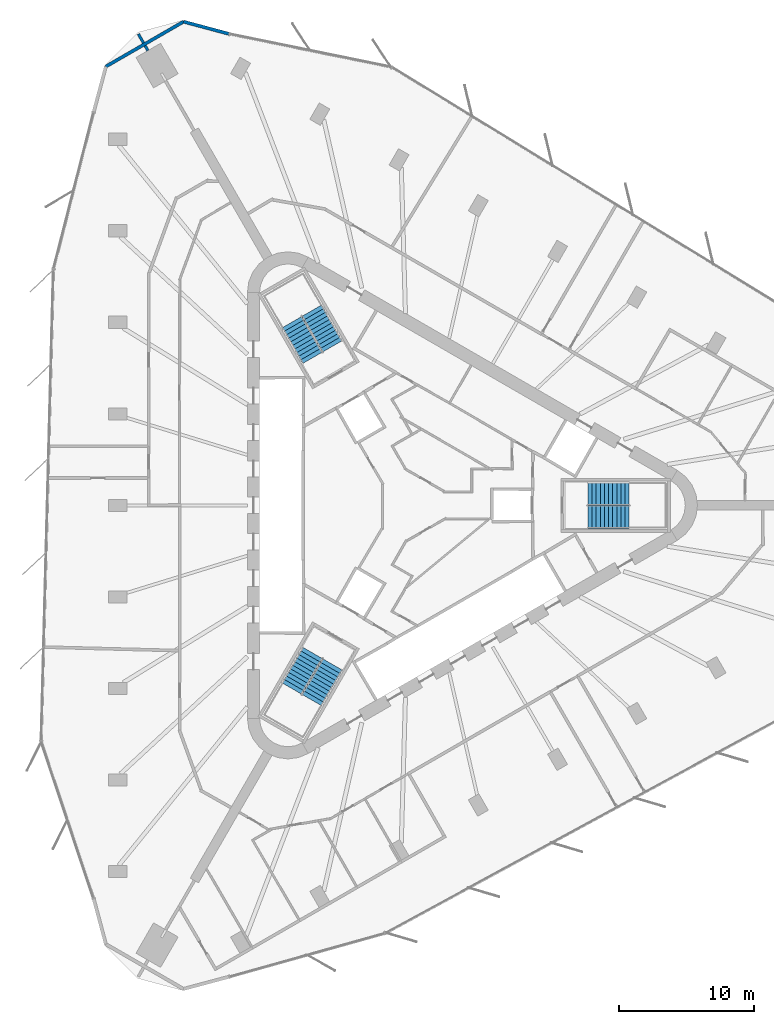
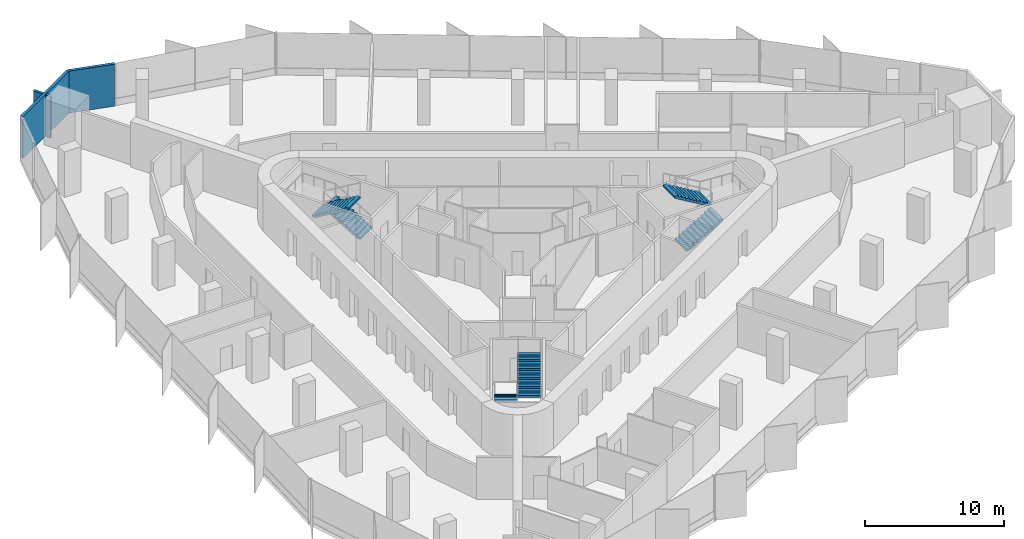
# One storey, part 13 of 14: 6 stair flights, 4 walls, 3 elements without a shape of their own.
"""IFC4 building model written with IfcOpenShell, lengths in metres."""

from ifc_helpers import new_model, si_unit, direction, frame, frame_2d, origin, place, context, subcontext, project, spatial, polyline, rectangle, outline, extrude, material, layer, layer_set, type_object, element, aggregate, save


model = new_model("IFC4")

# Units and contexts
model_context = context("Model", 3, precision=1e-05, world=origin(), true_north=direction((0.0, 1.0)))
body_context = subcontext(model_context, "Body", "Model", "MODEL_VIEW")
ifc_project = project(units=[si_unit("LENGTHUNIT", "METRE"), si_unit("AREAUNIT", "SQUARE_METRE"), si_unit("VOLUMEUNIT", "CUBIC_METRE"), si_unit("PLANEANGLEUNIT", "RADIAN"), si_unit("MASSUNIT", "GRAM", prefix="KILO")], contexts=[model_context])

# Site, building, storey
site_placement = place(None, origin())
site = spatial("IfcSite", under=ifc_project, at=site_placement, CompositionType="ELEMENT")
building_placement = place(site_placement, origin())
building = spatial("IfcBuilding", under=site, at=building_placement, Name="Tanit Gate Tower", CompositionType="ELEMENT")
storey_placement = place(building_placement, frame((0.0, 0.0, 241.199951171875)))
storey = spatial("IfcBuildingStorey", under=building, at=storey_placement, Name="L54", CompositionType="ELEMENT", Elevation=241.199951171875)

# Walls
ifc_material_1 = material(Name="Concrete C30/37 with bronze anodised aluminium cladding", Category="concrete")
ifc_layer_1 = layer(ifc_material_1, 0.239990234375)
ifc_layer_set_1 = layer_set([ifc_layer_1], Name="Facade wall bronze clad 240")
wall_type_1 = type_object("IfcWallType", Name="Facade wall bronze clad 240", PredefinedType="SOLIDWALL", material=ifc_layer_set_1)
wall_1_placement = place(storey_placement, frame((-13.470703125, 34.8876953125, 0.0), z_axis=(0.0, 0.0, 1.0), x_axis=(-0.965929859648, 0.258803991931, 0.0)))
element("IfcWall", 1, at=wall_1_placement, inside=storey, type_object=wall_type_1, Name="Bronze-clad facade wall L54 NW.arc1", PredefinedType="SOLIDWALL", context=body_context, shape_type="SweptSolid", body=[
    extrude(rectangle(XDim=3.474365234375, YDim=0.239990234375, at=frame_2d((1.7373046875, 0.0))), origin(), (0.0, 0.0, 1.0), 3.699951171875),
])
wall_2_placement = place(storey_placement, frame((-16.82666015625, 35.786865234375, 0.0), z_axis=(0.0, 0.0, 1.0), x_axis=(-0.866017876419, -0.500013037552, 0.0)))
element("IfcWall", 2, at=wall_2_placement, inside=storey, type_object=wall_type_1, Name="Bronze-clad facade wall L54 NW.arc2", PredefinedType="SOLIDWALL", context=body_context, shape_type="SweptSolid", body=[
    extrude(rectangle(XDim=6.642333984375, YDim=0.239990234375, at=frame_2d((3.3212890625, 0.0))), origin(), (0.0, 0.0, 1.0), 3.699951171875),
])
ifc_material_2 = material(Name="Fire-rated gypsum board partition")
ifc_layer_2 = layer(ifc_material_2, 0.199951171875)
ifc_layer_set_2 = layer_set([ifc_layer_2], Name="INT-WALL-COMPARTMENT")
wall_type_2 = type_object("IfcWallType", Name="INT-WALL-COMPARTMENT", PredefinedType="PARTITIONING", material=ifc_layer_set_2)
wall_3_placement = place(storey_placement, frame((-20.169677734375, 34.875, 0.0), z_axis=(0.0, 0.0, 1.0), x_axis=(0.499999897272, -0.866025463095, 0.0)))
element("IfcWall", 3, at=wall_3_placement, inside=storey, type_object=wall_type_2, Name="Wall Compartment W129", PredefinedType="PARTITIONING", context=body_context, shape_type="SweptSolid", body=[
    extrude(rectangle(XDim=0.76171875, YDim=0.199951171875, at=frame_2d((0.380859375, 0.0))), origin(), (0.0, 0.0, 1.0), 3.699951171875),
])
wall_4_placement = place(storey_placement, frame((-19.668701171875, 34.00732421875, 0.0), z_axis=(0.0, 0.0, 1.0), x_axis=(0.499739399214, -0.866175809448, 0.0)))
element("IfcWall", 4, at=wall_4_placement, inside=storey, type_object=wall_type_2, Name="Wall Compartment W129x1", PredefinedType="PARTITIONING", context=body_context, shape_type="SweptSolid", body=[
    extrude(rectangle(XDim=0.415771484375, YDim=0.199951171875, at=frame_2d((0.2080078125, 0.0))), origin(), (0.0, 0.0, 1.0), 3.699951171875),
])

# Stair, stair flights
ifc_material_3 = material(Name="Concrete C40/50", Category="concrete")
stair_type = type_object("IfcStairType", Name="INT-STAIR-EXIT", PredefinedType="HALF_TURN_STAIR", material=ifc_material_3)
stair_1_placement = place(storey_placement, origin())
stair_1 = element("IfcStair", 5, at=stair_1_placement, inside=storey, type_object=stair_type, Name="L54 STAIR S1", PredefinedType="HALF_TURN_STAIR")
ifc_material_4 = material(Name="Concrete C40/50", Category="concrete")
stair_flight_type = type_object("IfcStairFlightType", Name="INT-STAIR-FLIGHT", PredefinedType="STRAIGHT", material=ifc_material_4)
stair_flight_1_placement = place(storey_placement, frame((13.094970703125, -0.8525390625, 0.0), z_axis=(0.0, 0.0, 1.0), x_axis=(1.0, 0.0, 0.0)))
stair_flight_1 = element("IfcStairFlight", 6, at=stair_flight_1_placement, type_object=stair_flight_type, Name="S1 flight 1", NumberOfRisers=11, NumberOfTreads=10, PredefinedType="STRAIGHT", RiserHeight=0.181818182, TreadLength=0.3051, context=body_context, shape_type="SweptSolid", body=[
    extrude(outline(polyline([(0.0, 0.0), (0.0, 0.181884765625), (0.30517578125, 0.181884765625), (0.30517578125, 0.363525390625), (0.610107421875, 0.363525390625), (0.610107421875, 0.54541015625), (0.915283203125, 0.54541015625), (0.915283203125, 0.727294921875), (1.220458984375, 0.727294921875), (1.220458984375, 0.9091796875), (1.525390625, 0.9091796875), (1.525390625, 1.0908203125), (1.83056640625, 1.0908203125), (1.83056640625, 1.272705078125), (2.1357421875, 1.272705078125), (2.1357421875, 1.45458984375), (2.44091796875, 1.45458984375), (2.44091796875, 1.636474609375), (2.745849609375, 1.636474609375), (2.745849609375, 1.818115234375), (3.051025390625, 1.818115234375), (3.051025390625, 2.0), (3.051025390625, 1.643798828125), (0.292724609375, 0.0), (0.0, 0.0)])), frame((0.0, 0.84765625, 0.0), z_axis=(0.0, -1.0, 0.0), x_axis=(1.0, 0.0, 0.0)), (0.0, 0.0, 1.0), 1.695068359375),
])
stair_flight_2_placement = place(storey_placement, frame((16.14599609375, 0.8525390625, 2.0), z_axis=(0.0, 0.0, 1.0), x_axis=(-1.0, 0.0, 0.0)))
stair_flight_2 = element("IfcStairFlight", 7, at=stair_flight_2_placement, type_object=stair_flight_type, Name="S1 flight 2", NumberOfRisers=11, NumberOfTreads=10, PredefinedType="STRAIGHT", RiserHeight=0.181818182, TreadLength=0.3051, context=body_context, shape_type="SweptSolid", body=[
    extrude(outline(polyline([(0.0, 0.0), (0.0, 0.181884765625), (0.30517578125, 0.181884765625), (0.30517578125, 0.363525390625), (0.610107421875, 0.363525390625), (0.610107421875, 0.54541015625), (0.915283203125, 0.54541015625), (0.915283203125, 0.727294921875), (1.220458984375, 0.727294921875), (1.220458984375, 0.9091796875), (1.525390625, 0.9091796875), (1.525390625, 1.0908203125), (1.83056640625, 1.0908203125), (1.83056640625, 1.272705078125), (2.1357421875, 1.272705078125), (2.1357421875, 1.45458984375), (2.44091796875, 1.45458984375), (2.44091796875, 1.636474609375), (2.745849609375, 1.636474609375), (2.745849609375, 1.818115234375), (3.051025390625, 1.818115234375), (3.051025390625, 2.0), (3.051025390625, 1.643798828125), (0.292724609375, 0.0), (0.0, 0.0)])), frame((0.0, 0.84765625, 0.0), z_axis=(0.0, -1.0, 0.0), x_axis=(1.0, 0.0, 0.0)), (0.0, 0.0, 1.0), 1.695068359375),
])
aggregate(stair_1, [stair_flight_1, stair_flight_2])

stair_2_placement = place(storey_placement, origin())
stair_2 = element("IfcStair", 8, at=stair_2_placement, inside=storey, type_object=stair_type, Name="L54 STAIR S2", PredefinedType="HALF_TURN_STAIR")
stair_flight_3_placement = place(storey_placement, frame((-5.808349609375, 11.766357421875, 0.0), z_axis=(0.0, 0.0, 1.0), x_axis=(-0.5, 0.866025403784, 0.0)))
stair_flight_3 = element("IfcStairFlight", 9, at=stair_flight_3_placement, type_object=stair_flight_type, Name="S2 flight 1", NumberOfRisers=11, NumberOfTreads=10, PredefinedType="STRAIGHT", RiserHeight=0.181818182, TreadLength=0.30492, context=body_context, shape_type="SweptSolid", body=[
    extrude(outline(polyline([(0.0, 0.0), (0.0, 0.181884765625), (0.304931640625, 0.181884765625), (0.304931640625, 0.363525390625), (0.60986328125, 0.363525390625), (0.60986328125, 0.54541015625), (0.914794921875, 0.54541015625), (0.914794921875, 0.727294921875), (1.2197265625, 0.727294921875), (1.2197265625, 0.9091796875), (1.524658203125, 0.9091796875), (1.524658203125, 1.0908203125), (1.82958984375, 1.0908203125), (1.82958984375, 1.272705078125), (2.134521484375, 1.272705078125), (2.134521484375, 1.45458984375), (2.439453125, 1.45458984375), (2.439453125, 1.636474609375), (2.744384765625, 1.636474609375), (2.744384765625, 1.818115234375), (3.04931640625, 1.818115234375), (3.04931640625, 2.0), (3.04931640625, 1.6435546875), (0.292724609375, 0.0), (0.0, 0.0)])), frame((0.0, 0.84716796875, 0.0), z_axis=(0.0, -1.0, 0.0), x_axis=(1.0, 0.0, 0.0)), (0.0, 0.0, 1.0), 1.694091796875),
])
stair_flight_4_placement = place(storey_placement, frame((-8.810302734375, 13.553955078125, 2.0), z_axis=(0.0, 0.0, 1.0), x_axis=(0.5, -0.866025403784, 0.0)))
stair_flight_4 = element("IfcStairFlight", 10, at=stair_flight_4_placement, type_object=stair_flight_type, Name="S2 flight 2", NumberOfRisers=11, NumberOfTreads=10, PredefinedType="STRAIGHT", RiserHeight=0.181818182, TreadLength=0.30492, context=body_context, shape_type="SweptSolid", body=[
    extrude(outline(polyline([(0.0, 0.0), (0.0, 0.181884765625), (0.304931640625, 0.181884765625), (0.304931640625, 0.363525390625), (0.60986328125, 0.363525390625), (0.60986328125, 0.54541015625), (0.914794921875, 0.54541015625), (0.914794921875, 0.727294921875), (1.2197265625, 0.727294921875), (1.2197265625, 0.9091796875), (1.524658203125, 0.9091796875), (1.524658203125, 1.0908203125), (1.82958984375, 1.0908203125), (1.82958984375, 1.272705078125), (2.134521484375, 1.272705078125), (2.134521484375, 1.45458984375), (2.439453125, 1.45458984375), (2.439453125, 1.636474609375), (2.744384765625, 1.636474609375), (2.744384765625, 1.818115234375), (3.04931640625, 1.818115234375), (3.04931640625, 2.0), (3.04931640625, 1.6435546875), (0.292724609375, 0.0), (0.0, 0.0)])), frame((0.0, 0.84716796875, 0.0), z_axis=(0.0, -1.0, 0.0), x_axis=(1.0, 0.0, 0.0)), (0.0, 0.0, 1.0), 1.694091796875),
])
aggregate(stair_2, [stair_flight_3, stair_flight_4])

stair_3_placement = place(storey_placement, origin())
stair_3 = element("IfcStair", 11, at=stair_3_placement, inside=storey, type_object=stair_type, Name="L54 STAIR S3", PredefinedType="HALF_TURN_STAIR")
stair_flight_5_placement = place(storey_placement, frame((-7.285888671875, -10.914306640625, 0.0), z_axis=(0.0, 0.0, 1.0), x_axis=(-0.5, -0.866025403784, 0.0)))
stair_flight_5 = element("IfcStairFlight", 12, at=stair_flight_5_placement, type_object=stair_flight_type, Name="S3 flight 1", NumberOfRisers=11, NumberOfTreads=10, PredefinedType="STRAIGHT", RiserHeight=0.181818182, TreadLength=0.3051, context=body_context, shape_type="SweptSolid", body=[
    extrude(outline(polyline([(0.0, 0.0), (0.0, 0.181884765625), (0.30517578125, 0.181884765625), (0.30517578125, 0.363525390625), (0.610107421875, 0.363525390625), (0.610107421875, 0.54541015625), (0.915283203125, 0.54541015625), (0.915283203125, 0.727294921875), (1.220458984375, 0.727294921875), (1.220458984375, 0.9091796875), (1.525390625, 0.9091796875), (1.525390625, 1.0908203125), (1.83056640625, 1.0908203125), (1.83056640625, 1.272705078125), (2.1357421875, 1.272705078125), (2.1357421875, 1.45458984375), (2.44091796875, 1.45458984375), (2.44091796875, 1.636474609375), (2.745849609375, 1.636474609375), (2.745849609375, 1.818115234375), (3.051025390625, 1.818115234375), (3.051025390625, 2.0), (3.051025390625, 1.643798828125), (0.292724609375, 0.0), (0.0, 0.0)])), frame((0.0, 0.84765625, 0.0), z_axis=(0.0, -1.0, 0.0), x_axis=(1.0, 0.0, 0.0)), (0.0, 0.0, 1.0), 1.695068359375),
])
stair_flight_6_placement = place(storey_placement, frame((-7.334716796875, -14.4091796875, 2.0), z_axis=(0.0, 0.0, 1.0), x_axis=(0.5, 0.866025403784, 0.0)))
stair_flight_6 = element("IfcStairFlight", 13, at=stair_flight_6_placement, type_object=stair_flight_type, Name="S3 flight 2", NumberOfRisers=11, NumberOfTreads=10, PredefinedType="STRAIGHT", RiserHeight=0.181818182, TreadLength=0.3051, context=body_context, shape_type="SweptSolid", body=[
    extrude(outline(polyline([(0.0, 0.0), (0.0, 0.181884765625), (0.30517578125, 0.181884765625), (0.30517578125, 0.363525390625), (0.610107421875, 0.363525390625), (0.610107421875, 0.54541015625), (0.915283203125, 0.54541015625), (0.915283203125, 0.727294921875), (1.220458984375, 0.727294921875), (1.220458984375, 0.9091796875), (1.525390625, 0.9091796875), (1.525390625, 1.0908203125), (1.83056640625, 1.0908203125), (1.83056640625, 1.272705078125), (2.1357421875, 1.272705078125), (2.1357421875, 1.45458984375), (2.44091796875, 1.45458984375), (2.44091796875, 1.636474609375), (2.745849609375, 1.636474609375), (2.745849609375, 1.818115234375), (3.051025390625, 1.818115234375), (3.051025390625, 2.0), (3.051025390625, 1.643798828125), (0.292724609375, 0.0), (0.0, 0.0)])), frame((0.0, 0.84765625, 0.0), z_axis=(0.0, -1.0, 0.0), x_axis=(1.0, 0.0, 0.0)), (0.0, 0.0, 1.0), 1.695068359375),
])
aggregate(stair_3, [stair_flight_5, stair_flight_6])

save(model, "model.ifc")
